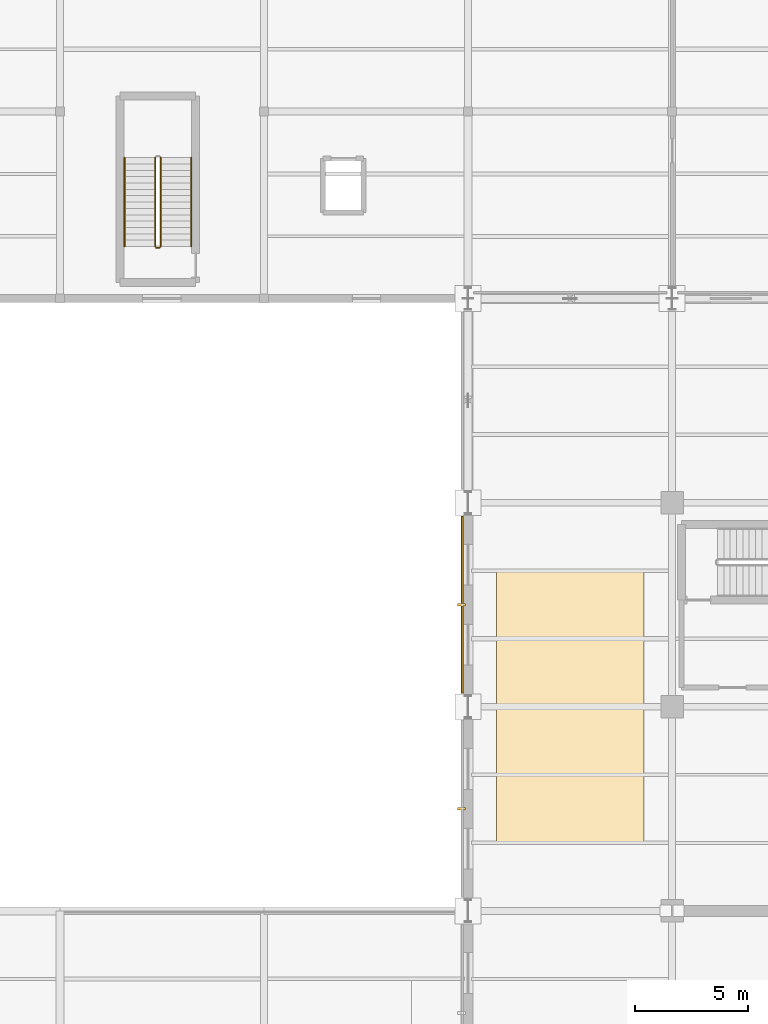
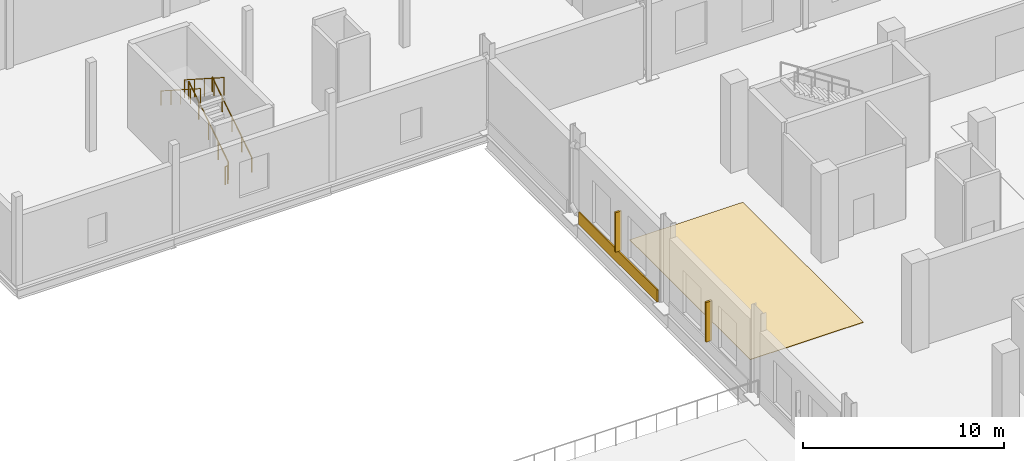
# One storey, part 134 of 141: 5 railings, 2 coverings, 2 shading devices.
"""IFC4 building model written with IfcOpenShell, lengths in metres."""

from ifc_helpers import new_model, si_unit, direction, frame, origin, origin_2d, place, context, subcontext, project, spatial, rectangle, circle, extrude, material, layer, layer_set, type_object, element, save


model = new_model("IFC4")

# Units and contexts
model_context = context("Model", 3, precision=1e-05, world=origin(), true_north=direction((0.0, 1.0)))
body_context = subcontext(model_context, "Body", "Model", "MODEL_VIEW")
ifc_project = project(units=[si_unit("LENGTHUNIT", "METRE"), si_unit("AREAUNIT", "SQUARE_METRE"), si_unit("VOLUMEUNIT", "CUBIC_METRE"), si_unit("PLANEANGLEUNIT", "RADIAN"), si_unit("MASSUNIT", "GRAM", prefix="KILO")], contexts=[model_context])

# Site, building, storey
site_placement = place(None, origin())
site = spatial("IfcSite", under=ifc_project, at=site_placement, CompositionType="ELEMENT")
building_placement = place(site_placement, origin())
building = spatial("IfcBuilding", under=site, at=building_placement, Name="Sundgate Opera House", CompositionType="ELEMENT")
storey_placement = place(building_placement, frame((0.0, 0.0, 11.39990234375)))
storey = spatial("IfcBuildingStorey", under=building, at=storey_placement, Name="L02", CompositionType="ELEMENT", Elevation=11.39990234375)

# Coverings
ifc_material_1 = material(Name="Sprung European oak stage and ballet floor", Category="wood")
ifc_layer_1 = layer(ifc_material_1, 0.030029296875)
ifc_layer_set_1 = layer_set([ifc_layer_1], Name="Sprung European oak stage and ballet floor")
covering_type_1 = type_object("IfcCoveringType", Name="CV-FLR-SPRUNG", PredefinedType="FLOORING", material=ifc_layer_set_1)
covering_1_placement = place(storey_placement, frame((31.5, 69.0, 0.0), z_axis=(0.0, 0.0, 1.0), x_axis=(1.0, 0.0, 0.0)))
element("IfcCovering", 1, at=covering_1_placement, inside=storey, type_object=covering_type_1, Name="L02 Floor Finish CV0141", PredefinedType="FLOORING", context=body_context, shape_type="SweptSolid", body=[
    extrude(rectangle(XDim=6.5, YDim=12.0, at=origin_2d()), origin(), (0.0, 0.0, 1.0), 0.030029296875),
])
ifc_material_2 = material(Name="Deep-carved Komstad limestone relief panel", Category="masonry")
ifc_layer_2 = layer(ifc_material_2, 0.094970703125)
ifc_layer_set_2 = layer_set([ifc_layer_2], Name="Deep-carved Komstad limestone relief panel")
covering_type_2 = type_object("IfcCoveringType", Name="CV-TRENC-DEEP", PredefinedType="CLADDING", material=ifc_layer_set_2)
covering_2_placement = place(storey_placement, frame((26.742431640625, 73.5, 0.045166015625), z_axis=(0.0, 0.0, 1.0), x_axis=(0.0, 1.0, 0.0)))
element("IfcCovering", 2, at=covering_2_placement, inside=storey, type_object=covering_type_2, Name="L02 Trencadis 750mm Relief Band CV0021", PredefinedType="CLADDING", context=body_context, shape_type="SweptSolid", body=[
    extrude(rectangle(XDim=7.81005859375, YDim=0.074951171875, at=origin_2d()), origin(), (0.0, 0.0, 1.0), 0.75),
])

# Railings
ifc_material_3 = material(Name="Painted steel S275 guardrail", Category="steel")
railing_type_1 = type_object("IfcRailingType", Name="RL-STAIR-GUARD-1100", PredefinedType="GUARDRAIL", material=ifc_material_3)
railing_1_placement = place(storey_placement, frame((13.449951171875, 89.300048828125, 0.18017578125)))
element("IfcRailing", 3, at=railing_1_placement, inside=storey, type_object=railing_type_1, Name="ST08L02 Guardrail RL0269", PredefinedType="GUARDRAIL", context=body_context, shape_type="SweptSolid", body=[
    extrude(circle(Radius=0.02392578125, at=origin_2d()), frame((0.0, 0.0, 1.076171875), z_axis=(0.0, 0.841171666519, 0.540768182723), x_axis=(-1.0, 0.0, 0.0)), (0.0, 0.0, 1.0), 4.66015625),
    extrude(circle(Radius=0.02099609375, at=origin_2d()), origin(), (0.0, 0.0, 1.0), 1.052001953125),
    extrude(circle(Radius=0.02099609375, at=origin_2d()), frame((0.0, 0.97998046875, 0.6298828125)), (0.0, 0.0, 1.0), 1.052001953125),
    extrude(circle(Radius=0.02099609375, at=origin_2d()), frame((0.0, 1.9599609375, 1.260009765625)), (0.0, 0.0, 1.0), 1.052001953125),
    extrude(circle(Radius=0.02099609375, at=origin_2d()), frame((0.0, 2.93994140625, 1.89013671875)), (0.0, 0.0, 1.0), 1.052001953125),
    extrude(circle(Radius=0.02099609375, at=origin_2d()), frame((0.0, 3.919921875, 2.52001953125)), (0.0, 0.0, 1.0), 1.052001953125),
])
railing_2_placement = place(storey_placement, frame((13.199951171875, 93.219970703125, 2.880126953125)))
element("IfcRailing", 4, at=railing_2_placement, inside=storey, type_object=railing_type_1, Name="ST08L02 Guardrail RL0271", PredefinedType="GUARDRAIL", context=body_context, shape_type="SweptSolid", body=[
    extrude(circle(Radius=0.02392578125, at=origin_2d()), frame((0.0, 0.0, 1.076171875), z_axis=(0.0, -0.841171666519, 0.540768182723), x_axis=(1.0, 0.0, 0.0)), (0.0, 0.0, 1.0), 4.66015625),
    extrude(circle(Radius=0.02099609375, at=origin_2d()), origin(), (0.0, 0.0, 1.0), 1.052001953125),
    extrude(circle(Radius=0.02099609375, at=origin_2d()), frame((0.0, -0.97998046875, 0.6298828125)), (0.0, 0.0, 1.0), 1.052001953125),
    extrude(circle(Radius=0.02099609375, at=origin_2d()), frame((0.0, -1.9599609375, 1.260009765625)), (0.0, 0.0, 1.0), 1.052001953125),
    extrude(circle(Radius=0.02099609375, at=origin_2d()), frame((0.0, -2.93994140625, 1.89013671875)), (0.0, 0.0, 1.0), 1.052001953125),
    extrude(circle(Radius=0.02099609375, at=origin_2d()), frame((0.0, -3.919921875, 2.52001953125)), (0.0, 0.0, 1.0), 1.052001953125),
])
railing_3_placement = place(storey_placement, frame((13.39990234375, 89.25, 0.0)))
element("IfcRailing", 5, at=railing_3_placement, inside=storey, type_object=railing_type_1, Name="ST08L02 Guardrail RL0272", PredefinedType="GUARDRAIL", context=body_context, shape_type="SweptSolid", body=[
    extrude(circle(Radius=0.02392578125, at=origin_2d()), frame((0.0, 0.0, 1.076171875), z_axis=(-1.0, 0.0, 0.0), x_axis=(0.0, -1.0, 0.0)), (0.0, 0.0, 1.0), 0.14990234375),
    extrude(circle(Radius=0.02099609375, at=origin_2d()), origin(), (0.0, 0.0, 1.0), 1.052001953125),
    extrude(circle(Radius=0.02099609375, at=origin_2d()), frame((-0.14990234375, 0.0, 0.0)), (0.0, 0.0, 1.0), 1.052001953125),
])
ifc_material_4 = material(Name="Brushed stainless steel handrail", Category="steel")
railing_type_2 = type_object("IfcRailingType", Name="RL-STAIR-HAND-900", PredefinedType="HANDRAIL", material=ifc_material_4)
railing_4_placement = place(storey_placement, frame((14.800048828125, 89.300048828125, 0.18017578125)))
element("IfcRailing", 6, at=railing_4_placement, inside=storey, type_object=railing_type_2, Name="ST08L02 Handrail RL0273", PredefinedType="HANDRAIL", context=body_context, shape_type="SweptSolid", body=[
    extrude(circle(Radius=0.02392578125, at=origin_2d()), frame((0.0, 0.0, 0.8759765625), z_axis=(0.0, 0.841171666519, 0.540768182723), x_axis=(-1.0, 0.0, 0.0)), (0.0, 0.0, 1.0), 4.66015625),
    extrude(circle(Radius=0.02099609375, at=origin_2d()), origin(), (0.0, 0.0, 1.0), 0.851806640625),
    extrude(circle(Radius=0.02099609375, at=origin_2d()), frame((0.0, 0.97998046875, 0.6298828125)), (0.0, 0.0, 1.0), 0.851806640625),
    extrude(circle(Radius=0.02099609375, at=origin_2d()), frame((0.0, 1.9599609375, 1.260009765625)), (0.0, 0.0, 1.0), 0.851806640625),
    extrude(circle(Radius=0.02099609375, at=origin_2d()), frame((0.0, 2.93994140625, 1.89013671875)), (0.0, 0.0, 1.0), 0.851806640625),
    extrude(circle(Radius=0.02099609375, at=origin_2d()), frame((0.0, 3.919921875, 2.52001953125)), (0.0, 0.0, 1.0), 0.851806640625),
])
railing_5_placement = place(storey_placement, frame((11.85009765625, 93.219970703125, 2.880126953125)))
element("IfcRailing", 7, at=railing_5_placement, inside=storey, type_object=railing_type_2, Name="ST08L02 Handrail RL0274", PredefinedType="HANDRAIL", context=body_context, shape_type="SweptSolid", body=[
    extrude(circle(Radius=0.02392578125, at=origin_2d()), frame((0.0, 0.0, 0.8759765625), z_axis=(0.0, -0.841171666519, 0.540768182723), x_axis=(1.0, 0.0, 0.0)), (0.0, 0.0, 1.0), 4.66015625),
    extrude(circle(Radius=0.02099609375, at=origin_2d()), origin(), (0.0, 0.0, 1.0), 0.851806640625),
    extrude(circle(Radius=0.02099609375, at=origin_2d()), frame((0.0, -0.97998046875, 0.6298828125)), (0.0, 0.0, 1.0), 0.851806640625),
    extrude(circle(Radius=0.02099609375, at=origin_2d()), frame((0.0, -1.9599609375, 1.260009765625)), (0.0, 0.0, 1.0), 0.851806640625),
    extrude(circle(Radius=0.02099609375, at=origin_2d()), frame((0.0, -2.93994140625, 1.89013671875)), (0.0, 0.0, 1.0), 0.851806640625),
    extrude(circle(Radius=0.02099609375, at=origin_2d()), frame((0.0, -3.919921875, 2.52001953125)), (0.0, 0.0, 1.0), 0.851806640625),
])

# Shading devices
ifc_material_5 = material(Name="Frost-proof vitrified stoneware ceramic fin", Category="masonry")
shading_device_type_1 = type_object("IfcShadingDeviceType", Name="SD-CERAMIC-FIN", PredefinedType="JALOUSIE", material=ifc_material_5)
shading_device_1_placement = place(storey_placement, frame((26.719970703125, 73.5, 0.800048828125), z_axis=(0.0, 0.0, 1.0), x_axis=(1.0, 0.0, 0.0)))
element("IfcShadingDevice", 8, at=shading_device_1_placement, inside=storey, type_object=shading_device_type_1, Name="L02 Ceramic Brise-Soleil Fin SD0008", PredefinedType="JALOUSIE", context=body_context, shape_type="SweptSolid", body=[
    extrude(rectangle(XDim=0.35009765625, YDim=0.1201171875, at=origin_2d()), origin(), (0.0, 0.0, 1.0), 2.39990234375),
])
ifc_material_6 = material(Name="Glazed ceramic acoustic sun louvre", Category="masonry")
shading_device_type_2 = type_object("IfcShadingDeviceType", Name="SD-CERAMIC-LOUVRE", PredefinedType="JALOUSIE", material=ifc_material_6)
shading_device_2_placement = place(storey_placement, frame((26.719970703125, 64.5, 0.800048828125), z_axis=(0.0, 0.0, 1.0), x_axis=(1.0, 0.0, 0.0)))
element("IfcShadingDevice", 9, at=shading_device_2_placement, inside=storey, type_object=shading_device_type_2, Name="L02 Ceramic Brise-Soleil Fin SD0007", PredefinedType="JALOUSIE", context=body_context, shape_type="SweptSolid", body=[
    extrude(rectangle(XDim=0.35009765625, YDim=0.1201171875, at=origin_2d()), origin(), (0.0, 0.0, 1.0), 2.39990234375),
])

save(model, "model.ifc")
